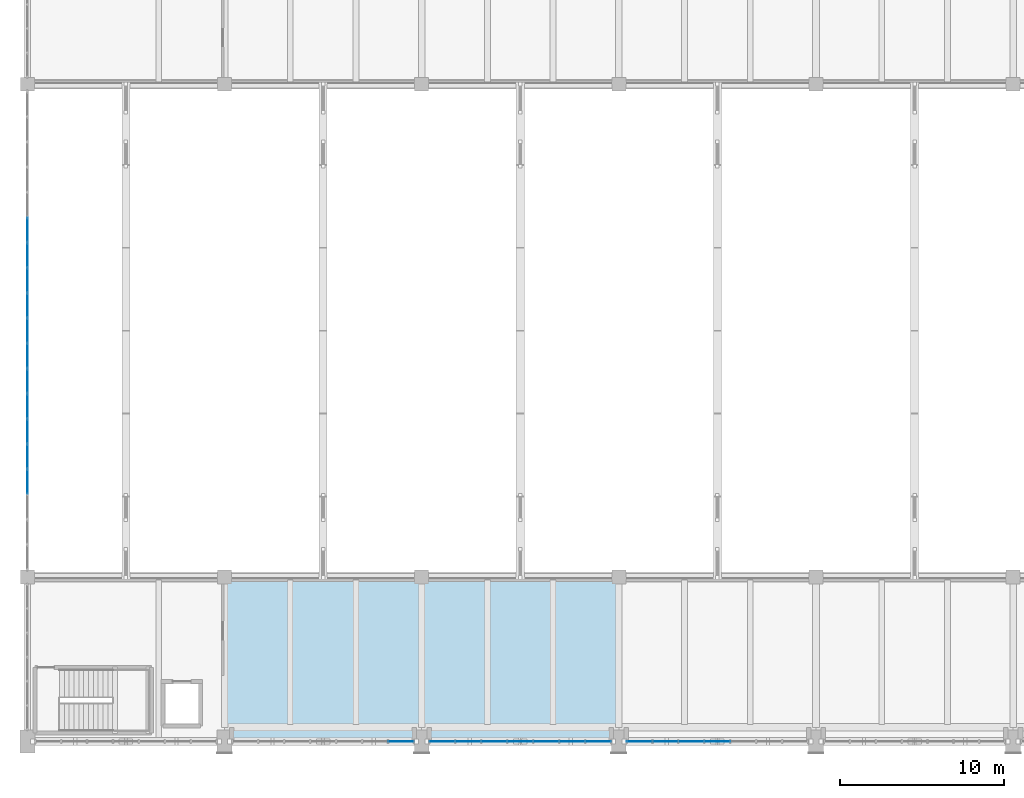
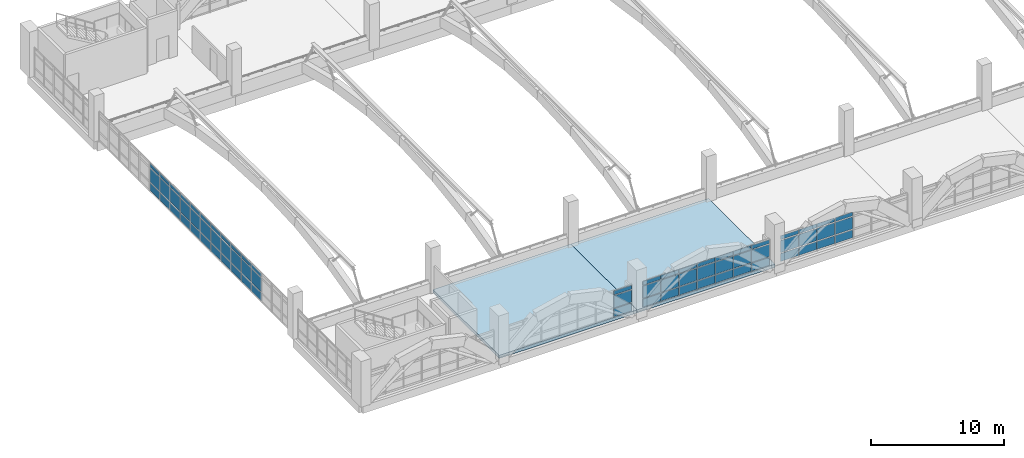
# One storey, part 122 of 161: 69 plates, 2 slabs, 4 elements without a shape of their own.
"""IFC4 building model written with IfcOpenShell, lengths in metres."""

from ifc_helpers import new_model, si_unit, direction, frame, origin, origin_2d, place, context, subcontext, project, spatial, polyline, rectangle, outline, extrude, material, layer, layer_set, type_object, element, aggregate, save


model = new_model("IFC4")

# Units and contexts
model_context = context("Model", 3, precision=1e-05, world=origin(), true_north=direction((0.0, 1.0)))
body_context = subcontext(model_context, "Body", "Model", "MODEL_VIEW")
ifc_project = project(units=[si_unit("LENGTHUNIT", "METRE"), si_unit("AREAUNIT", "SQUARE_METRE"), si_unit("VOLUMEUNIT", "CUBIC_METRE"), si_unit("PLANEANGLEUNIT", "RADIAN"), si_unit("MASSUNIT", "GRAM", prefix="KILO")], contexts=[model_context])

# Site, building, storey
site_placement = place(None, origin())
site = spatial("IfcSite", under=ifc_project, at=site_placement, CompositionType="ELEMENT")
building_placement = place(site_placement, origin())
building = spatial("IfcBuilding", under=site, at=building_placement, Name="Mersad Railyard Sports Hall", CompositionType="ELEMENT")
storey_placement = place(building_placement, frame((0.0, 0.0, 4.800048828125)))
storey = spatial("IfcBuildingStorey", under=building, at=storey_placement, Name="L01", CompositionType="ELEMENT", Elevation=4.800048828125)

# Curtain wall, plates
ifc_material_1 = material(Name="Aluminium 6063-T6", Category="aluminium")
ifc_layer_1 = layer(ifc_material_1, 0.199951171875)
ifc_layer_set_1 = layer_set([ifc_layer_1], Name="Aluminium 6063-T6")
curtain_wall_type_1 = type_object("IfcCurtainWallType", Name="ARC-CW-CW02", PredefinedType="USERDEFINED", material=ifc_layer_set_1)
curtain_wall_1_placement = place(storey_placement, origin())
curtain_wall_1 = element("IfcCurtainWall", 1, at=curtain_wall_1_placement, inside=storey, type_object=curtain_wall_type_1, Name="Curtain wall CW02-0005", ObjectType="CURTAIN WALL", PredefinedType="USERDEFINED")
ifc_material_2 = material(Name="Solar-control glass", Category="glass")
ifc_layer_2 = layer(ifc_material_2, 0.028076171875)
ifc_layer_set_2 = layer_set([ifc_layer_2], Name="Solar-control glass")
plate_type = type_object("IfcPlateType", Name="ARC-CW-PNL01", PredefinedType="CURTAIN_PANEL", material=ifc_layer_set_2)
plate_1_placement = place(storey_placement, frame((29.739990234375, 3.5, 0.0849609375), z_axis=(0.0, 0.0, 1.0), x_axis=(-1.0, 0.0, 0.0)))
plate_1 = element("IfcPlate", 2, at=plate_1_placement, type_object=plate_type, Name="CW02 Glazed panel 1-1", PredefinedType="CURTAIN_PANEL", context=body_context, shape_type="SweptSolid", body=[
    extrude(rectangle(XDim=1.535888671875, YDim=0.028076171875, at=origin_2d()), origin(), (0.0, 0.0, 1.0), 0.719970703125),
])
plate_2_placement = place(storey_placement, frame((29.739990234375, 3.5, 0.89501953125), z_axis=(0.0, 0.0, 1.0), x_axis=(-1.0, 0.0, 0.0)))
plate_2 = element("IfcPlate", 3, at=plate_2_placement, type_object=plate_type, Name="CW02 Glazed panel 1-2", PredefinedType="CURTAIN_PANEL", context=body_context, shape_type="SweptSolid", body=[
    extrude(rectangle(XDim=1.535888671875, YDim=0.028076171875, at=origin_2d()), origin(), (0.0, 0.0, 1.0), 1.110107421875),
])
plate_3_placement = place(storey_placement, frame((29.739990234375, 3.5, 2.094970703125), z_axis=(0.0, 0.0, 1.0), x_axis=(-1.0, 0.0, 0.0)))
plate_3 = element("IfcPlate", 4, at=plate_3_placement, type_object=plate_type, Name="CW02 Glazed panel 1-3", PredefinedType="CURTAIN_PANEL", context=body_context, shape_type="SweptSolid", body=[
    extrude(rectangle(XDim=1.535888671875, YDim=0.028076171875, at=origin_2d()), origin(), (0.0, 0.0, 1.0), 0.35009765625),
])
aggregate(curtain_wall_1, [plate_1, plate_2, plate_3])

curtain_wall_2_placement = place(storey_placement, origin())
curtain_wall_2 = element("IfcCurtainWall", 5, at=curtain_wall_2_placement, inside=storey, type_object=curtain_wall_type_1, Name="Curtain wall CW02-0008", ObjectType="CURTAIN WALL", PredefinedType="USERDEFINED")
plate_4_placement = place(storey_placement, frame((41.739990234375, 3.5, 0.0849609375), z_axis=(0.0, 0.0, 1.0), x_axis=(-1.0, 0.0, 0.0)))
plate_4 = element("IfcPlate", 6, at=plate_4_placement, type_object=plate_type, Name="CW02 Glazed panel 1-1", PredefinedType="CURTAIN_PANEL", context=body_context, shape_type="SweptSolid", body=[
    extrude(rectangle(XDim=1.535888671875, YDim=0.028076171875, at=origin_2d()), origin(), (0.0, 0.0, 1.0), 0.719970703125),
])
plate_5_placement = place(storey_placement, frame((41.739990234375, 3.5, 0.89501953125), z_axis=(0.0, 0.0, 1.0), x_axis=(-1.0, 0.0, 0.0)))
plate_5 = element("IfcPlate", 7, at=plate_5_placement, type_object=plate_type, Name="CW02 Glazed panel 1-2", PredefinedType="CURTAIN_PANEL", context=body_context, shape_type="SweptSolid", body=[
    extrude(rectangle(XDim=1.535888671875, YDim=0.028076171875, at=origin_2d()), origin(), (0.0, 0.0, 1.0), 1.110107421875),
])
plate_6_placement = place(storey_placement, frame((41.739990234375, 3.5, 2.094970703125), z_axis=(0.0, 0.0, 1.0), x_axis=(-1.0, 0.0, 0.0)))
plate_6 = element("IfcPlate", 8, at=plate_6_placement, type_object=plate_type, Name="CW02 Glazed panel 1-3", PredefinedType="CURTAIN_PANEL", context=body_context, shape_type="SweptSolid", body=[
    extrude(rectangle(XDim=1.535888671875, YDim=0.028076171875, at=origin_2d()), origin(), (0.0, 0.0, 1.0), 0.35009765625),
])
plate_7_placement = place(storey_placement, frame((40.159912109375, 3.5, 0.0849609375), z_axis=(0.0, 0.0, 1.0), x_axis=(-1.0, 0.0, 0.0)))
plate_7 = element("IfcPlate", 9, at=plate_7_placement, type_object=plate_type, Name="CW02 Glazed panel 2-1", PredefinedType="CURTAIN_PANEL", context=body_context, shape_type="SweptSolid", body=[
    extrude(rectangle(XDim=1.535888671875, YDim=0.028076171875, at=origin_2d()), origin(), (0.0, 0.0, 1.0), 0.719970703125),
])
plate_8_placement = place(storey_placement, frame((40.159912109375, 3.5, 0.89501953125), z_axis=(0.0, 0.0, 1.0), x_axis=(-1.0, 0.0, 0.0)))
plate_8 = element("IfcPlate", 10, at=plate_8_placement, type_object=plate_type, Name="CW02 Glazed panel 2-2", PredefinedType="CURTAIN_PANEL", context=body_context, shape_type="SweptSolid", body=[
    extrude(rectangle(XDim=1.535888671875, YDim=0.028076171875, at=origin_2d()), origin(), (0.0, 0.0, 1.0), 1.110107421875),
])
plate_9_placement = place(storey_placement, frame((40.159912109375, 3.5, 2.094970703125), z_axis=(0.0, 0.0, 1.0), x_axis=(-1.0, 0.0, 0.0)))
plate_9 = element("IfcPlate", 11, at=plate_9_placement, type_object=plate_type, Name="CW02 Glazed panel 2-3", PredefinedType="CURTAIN_PANEL", context=body_context, shape_type="SweptSolid", body=[
    extrude(rectangle(XDim=1.535888671875, YDim=0.028076171875, at=origin_2d()), origin(), (0.0, 0.0, 1.0), 0.35009765625),
])
plate_10_placement = place(storey_placement, frame((38.580078125, 3.5, 0.0849609375), z_axis=(0.0, 0.0, 1.0), x_axis=(-1.0, 0.0, 0.0)))
plate_10 = element("IfcPlate", 12, at=plate_10_placement, type_object=plate_type, Name="CW02 Glazed panel 3-1", PredefinedType="CURTAIN_PANEL", context=body_context, shape_type="SweptSolid", body=[
    extrude(rectangle(XDim=1.535888671875, YDim=0.028076171875, at=origin_2d()), origin(), (0.0, 0.0, 1.0), 0.719970703125),
])
plate_11_placement = place(storey_placement, frame((38.580078125, 3.5, 0.89501953125), z_axis=(0.0, 0.0, 1.0), x_axis=(-1.0, 0.0, 0.0)))
plate_11 = element("IfcPlate", 13, at=plate_11_placement, type_object=plate_type, Name="CW02 Glazed panel 3-2", PredefinedType="CURTAIN_PANEL", context=body_context, shape_type="SweptSolid", body=[
    extrude(rectangle(XDim=1.535888671875, YDim=0.028076171875, at=origin_2d()), origin(), (0.0, 0.0, 1.0), 1.110107421875),
])
plate_12_placement = place(storey_placement, frame((38.580078125, 3.5, 2.094970703125), z_axis=(0.0, 0.0, 1.0), x_axis=(-1.0, 0.0, 0.0)))
plate_12 = element("IfcPlate", 14, at=plate_12_placement, type_object=plate_type, Name="CW02 Glazed panel 3-3", PredefinedType="CURTAIN_PANEL", context=body_context, shape_type="SweptSolid", body=[
    extrude(rectangle(XDim=1.535888671875, YDim=0.028076171875, at=origin_2d()), origin(), (0.0, 0.0, 1.0), 0.35009765625),
])
plate_13_placement = place(storey_placement, frame((37.0, 3.5, 0.0849609375), z_axis=(0.0, 0.0, 1.0), x_axis=(-1.0, 0.0, 0.0)))
plate_13 = element("IfcPlate", 15, at=plate_13_placement, type_object=plate_type, Name="CW02 Glazed panel 4-1", PredefinedType="CURTAIN_PANEL", context=body_context, shape_type="SweptSolid", body=[
    extrude(rectangle(XDim=1.535888671875, YDim=0.028076171875, at=origin_2d()), origin(), (0.0, 0.0, 1.0), 0.719970703125),
])
plate_14_placement = place(storey_placement, frame((37.0, 3.5, 0.89501953125), z_axis=(0.0, 0.0, 1.0), x_axis=(-1.0, 0.0, 0.0)))
plate_14 = element("IfcPlate", 16, at=plate_14_placement, type_object=plate_type, Name="CW02 Glazed panel 4-2", PredefinedType="CURTAIN_PANEL", context=body_context, shape_type="SweptSolid", body=[
    extrude(rectangle(XDim=1.535888671875, YDim=0.028076171875, at=origin_2d()), origin(), (0.0, 0.0, 1.0), 1.110107421875),
])
plate_15_placement = place(storey_placement, frame((37.0, 3.5, 2.094970703125), z_axis=(0.0, 0.0, 1.0), x_axis=(-1.0, 0.0, 0.0)))
plate_15 = element("IfcPlate", 17, at=plate_15_placement, type_object=plate_type, Name="CW02 Glazed panel 4-3", PredefinedType="CURTAIN_PANEL", context=body_context, shape_type="SweptSolid", body=[
    extrude(rectangle(XDim=1.535888671875, YDim=0.028076171875, at=origin_2d()), origin(), (0.0, 0.0, 1.0), 0.35009765625),
])
plate_16_placement = place(storey_placement, frame((35.419921875, 3.5, 0.0849609375), z_axis=(0.0, 0.0, 1.0), x_axis=(-1.0, 0.0, 0.0)))
plate_16 = element("IfcPlate", 18, at=plate_16_placement, type_object=plate_type, Name="CW02 Glazed panel 5-1", PredefinedType="CURTAIN_PANEL", context=body_context, shape_type="SweptSolid", body=[
    extrude(rectangle(XDim=1.535888671875, YDim=0.028076171875, at=origin_2d()), origin(), (0.0, 0.0, 1.0), 0.719970703125),
])
plate_17_placement = place(storey_placement, frame((35.419921875, 3.5, 0.89501953125), z_axis=(0.0, 0.0, 1.0), x_axis=(-1.0, 0.0, 0.0)))
plate_17 = element("IfcPlate", 19, at=plate_17_placement, type_object=plate_type, Name="CW02 Glazed panel 5-2", PredefinedType="CURTAIN_PANEL", context=body_context, shape_type="SweptSolid", body=[
    extrude(rectangle(XDim=1.535888671875, YDim=0.028076171875, at=origin_2d()), origin(), (0.0, 0.0, 1.0), 1.110107421875),
])
plate_18_placement = place(storey_placement, frame((35.419921875, 3.5, 2.094970703125), z_axis=(0.0, 0.0, 1.0), x_axis=(-1.0, 0.0, 0.0)))
plate_18 = element("IfcPlate", 20, at=plate_18_placement, type_object=plate_type, Name="CW02 Glazed panel 5-3", PredefinedType="CURTAIN_PANEL", context=body_context, shape_type="SweptSolid", body=[
    extrude(rectangle(XDim=1.535888671875, YDim=0.028076171875, at=origin_2d()), origin(), (0.0, 0.0, 1.0), 0.35009765625),
])
plate_19_placement = place(storey_placement, frame((33.840087890625, 3.5, 0.0849609375), z_axis=(0.0, 0.0, 1.0), x_axis=(-1.0, 0.0, 0.0)))
plate_19 = element("IfcPlate", 21, at=plate_19_placement, type_object=plate_type, Name="CW02 Glazed panel 6-1", PredefinedType="CURTAIN_PANEL", context=body_context, shape_type="SweptSolid", body=[
    extrude(rectangle(XDim=1.535888671875, YDim=0.028076171875, at=origin_2d()), origin(), (0.0, 0.0, 1.0), 0.719970703125),
])
plate_20_placement = place(storey_placement, frame((33.840087890625, 3.5, 0.89501953125), z_axis=(0.0, 0.0, 1.0), x_axis=(-1.0, 0.0, 0.0)))
plate_20 = element("IfcPlate", 22, at=plate_20_placement, type_object=plate_type, Name="CW02 Glazed panel 6-2", PredefinedType="CURTAIN_PANEL", context=body_context, shape_type="SweptSolid", body=[
    extrude(rectangle(XDim=1.535888671875, YDim=0.028076171875, at=origin_2d()), origin(), (0.0, 0.0, 1.0), 1.110107421875),
])
plate_21_placement = place(storey_placement, frame((33.840087890625, 3.5, 2.094970703125), z_axis=(0.0, 0.0, 1.0), x_axis=(-1.0, 0.0, 0.0)))
plate_21 = element("IfcPlate", 23, at=plate_21_placement, type_object=plate_type, Name="CW02 Glazed panel 6-3", PredefinedType="CURTAIN_PANEL", context=body_context, shape_type="SweptSolid", body=[
    extrude(rectangle(XDim=1.535888671875, YDim=0.028076171875, at=origin_2d()), origin(), (0.0, 0.0, 1.0), 0.35009765625),
])
plate_22_placement = place(storey_placement, frame((32.260009765625, 3.5, 0.0849609375), z_axis=(0.0, 0.0, 1.0), x_axis=(-1.0, 0.0, 0.0)))
plate_22 = element("IfcPlate", 24, at=plate_22_placement, type_object=plate_type, Name="CW02 Glazed panel 7-1", PredefinedType="CURTAIN_PANEL", context=body_context, shape_type="SweptSolid", body=[
    extrude(rectangle(XDim=1.535888671875, YDim=0.028076171875, at=origin_2d()), origin(), (0.0, 0.0, 1.0), 0.719970703125),
])
plate_23_placement = place(storey_placement, frame((32.260009765625, 3.5, 0.89501953125), z_axis=(0.0, 0.0, 1.0), x_axis=(-1.0, 0.0, 0.0)))
plate_23 = element("IfcPlate", 25, at=plate_23_placement, type_object=plate_type, Name="CW02 Glazed panel 7-2", PredefinedType="CURTAIN_PANEL", context=body_context, shape_type="SweptSolid", body=[
    extrude(rectangle(XDim=1.535888671875, YDim=0.028076171875, at=origin_2d()), origin(), (0.0, 0.0, 1.0), 1.110107421875),
])
plate_24_placement = place(storey_placement, frame((32.260009765625, 3.5, 2.094970703125), z_axis=(0.0, 0.0, 1.0), x_axis=(-1.0, 0.0, 0.0)))
plate_24 = element("IfcPlate", 26, at=plate_24_placement, type_object=plate_type, Name="CW02 Glazed panel 7-3", PredefinedType="CURTAIN_PANEL", context=body_context, shape_type="SweptSolid", body=[
    extrude(rectangle(XDim=1.535888671875, YDim=0.028076171875, at=origin_2d()), origin(), (0.0, 0.0, 1.0), 0.35009765625),
])
aggregate(curtain_wall_2, [plate_4, plate_5, plate_6, plate_7, plate_8, plate_9, plate_10, plate_11, plate_12, plate_13, plate_14, plate_15, plate_16, plate_17, plate_18, plate_19, plate_20, plate_21, plate_22, plate_23, plate_24])

curtain_wall_3_placement = place(storey_placement, origin())
curtain_wall_3 = element("IfcCurtainWall", 27, at=curtain_wall_3_placement, inside=storey, type_object=curtain_wall_type_1, Name="Curtain wall CW02-0011", ObjectType="CURTAIN WALL", PredefinedType="USERDEFINED")
plate_25_placement = place(storey_placement, frame((49.0, 3.5, 0.0849609375), z_axis=(0.0, 0.0, 1.0), x_axis=(-1.0, 0.0, 0.0)))
plate_25 = element("IfcPlate", 28, at=plate_25_placement, type_object=plate_type, Name="CW02 Glazed panel 4-1", PredefinedType="CURTAIN_PANEL", context=body_context, shape_type="SweptSolid", body=[
    extrude(rectangle(XDim=1.535888671875, YDim=0.028076171875, at=origin_2d()), origin(), (0.0, 0.0, 1.0), 0.719970703125),
])
plate_26_placement = place(storey_placement, frame((49.0, 3.5, 0.89501953125), z_axis=(0.0, 0.0, 1.0), x_axis=(-1.0, 0.0, 0.0)))
plate_26 = element("IfcPlate", 29, at=plate_26_placement, type_object=plate_type, Name="CW02 Glazed panel 4-2", PredefinedType="CURTAIN_PANEL", context=body_context, shape_type="SweptSolid", body=[
    extrude(rectangle(XDim=1.535888671875, YDim=0.028076171875, at=origin_2d()), origin(), (0.0, 0.0, 1.0), 1.110107421875),
])
plate_27_placement = place(storey_placement, frame((49.0, 3.5, 2.094970703125), z_axis=(0.0, 0.0, 1.0), x_axis=(-1.0, 0.0, 0.0)))
plate_27 = element("IfcPlate", 30, at=plate_27_placement, type_object=plate_type, Name="CW02 Glazed panel 4-3", PredefinedType="CURTAIN_PANEL", context=body_context, shape_type="SweptSolid", body=[
    extrude(rectangle(XDim=1.535888671875, YDim=0.028076171875, at=origin_2d()), origin(), (0.0, 0.0, 1.0), 0.35009765625),
])
plate_28_placement = place(storey_placement, frame((47.419921875, 3.5, 0.0849609375), z_axis=(0.0, 0.0, 1.0), x_axis=(-1.0, 0.0, 0.0)))
plate_28 = element("IfcPlate", 31, at=plate_28_placement, type_object=plate_type, Name="CW02 Glazed panel 5-1", PredefinedType="CURTAIN_PANEL", context=body_context, shape_type="SweptSolid", body=[
    extrude(rectangle(XDim=1.535888671875, YDim=0.028076171875, at=origin_2d()), origin(), (0.0, 0.0, 1.0), 0.719970703125),
])
plate_29_placement = place(storey_placement, frame((47.419921875, 3.5, 0.89501953125), z_axis=(0.0, 0.0, 1.0), x_axis=(-1.0, 0.0, 0.0)))
plate_29 = element("IfcPlate", 32, at=plate_29_placement, type_object=plate_type, Name="CW02 Glazed panel 5-2", PredefinedType="CURTAIN_PANEL", context=body_context, shape_type="SweptSolid", body=[
    extrude(rectangle(XDim=1.535888671875, YDim=0.028076171875, at=origin_2d()), origin(), (0.0, 0.0, 1.0), 1.110107421875),
])
plate_30_placement = place(storey_placement, frame((47.419921875, 3.5, 2.094970703125), z_axis=(0.0, 0.0, 1.0), x_axis=(-1.0, 0.0, 0.0)))
plate_30 = element("IfcPlate", 33, at=plate_30_placement, type_object=plate_type, Name="CW02 Glazed panel 5-3", PredefinedType="CURTAIN_PANEL", context=body_context, shape_type="SweptSolid", body=[
    extrude(rectangle(XDim=1.535888671875, YDim=0.028076171875, at=origin_2d()), origin(), (0.0, 0.0, 1.0), 0.35009765625),
])
plate_31_placement = place(storey_placement, frame((45.840087890625, 3.5, 0.0849609375), z_axis=(0.0, 0.0, 1.0), x_axis=(-1.0, 0.0, 0.0)))
plate_31 = element("IfcPlate", 34, at=plate_31_placement, type_object=plate_type, Name="CW02 Glazed panel 6-1", PredefinedType="CURTAIN_PANEL", context=body_context, shape_type="SweptSolid", body=[
    extrude(rectangle(XDim=1.535888671875, YDim=0.028076171875, at=origin_2d()), origin(), (0.0, 0.0, 1.0), 0.719970703125),
])
plate_32_placement = place(storey_placement, frame((45.840087890625, 3.5, 0.89501953125), z_axis=(0.0, 0.0, 1.0), x_axis=(-1.0, 0.0, 0.0)))
plate_32 = element("IfcPlate", 35, at=plate_32_placement, type_object=plate_type, Name="CW02 Glazed panel 6-2", PredefinedType="CURTAIN_PANEL", context=body_context, shape_type="SweptSolid", body=[
    extrude(rectangle(XDim=1.535888671875, YDim=0.028076171875, at=origin_2d()), origin(), (0.0, 0.0, 1.0), 1.110107421875),
])
plate_33_placement = place(storey_placement, frame((45.840087890625, 3.5, 2.094970703125), z_axis=(0.0, 0.0, 1.0), x_axis=(-1.0, 0.0, 0.0)))
plate_33 = element("IfcPlate", 36, at=plate_33_placement, type_object=plate_type, Name="CW02 Glazed panel 6-3", PredefinedType="CURTAIN_PANEL", context=body_context, shape_type="SweptSolid", body=[
    extrude(rectangle(XDim=1.535888671875, YDim=0.028076171875, at=origin_2d()), origin(), (0.0, 0.0, 1.0), 0.35009765625),
])
plate_34_placement = place(storey_placement, frame((44.260009765625, 3.5, 0.0849609375), z_axis=(0.0, 0.0, 1.0), x_axis=(-1.0, 0.0, 0.0)))
plate_34 = element("IfcPlate", 37, at=plate_34_placement, type_object=plate_type, Name="CW02 Glazed panel 7-1", PredefinedType="CURTAIN_PANEL", context=body_context, shape_type="SweptSolid", body=[
    extrude(rectangle(XDim=1.535888671875, YDim=0.028076171875, at=origin_2d()), origin(), (0.0, 0.0, 1.0), 0.719970703125),
])
plate_35_placement = place(storey_placement, frame((44.260009765625, 3.5, 0.89501953125), z_axis=(0.0, 0.0, 1.0), x_axis=(-1.0, 0.0, 0.0)))
plate_35 = element("IfcPlate", 38, at=plate_35_placement, type_object=plate_type, Name="CW02 Glazed panel 7-2", PredefinedType="CURTAIN_PANEL", context=body_context, shape_type="SweptSolid", body=[
    extrude(rectangle(XDim=1.535888671875, YDim=0.028076171875, at=origin_2d()), origin(), (0.0, 0.0, 1.0), 1.110107421875),
])
plate_36_placement = place(storey_placement, frame((44.260009765625, 3.5, 2.094970703125), z_axis=(0.0, 0.0, 1.0), x_axis=(-1.0, 0.0, 0.0)))
plate_36 = element("IfcPlate", 39, at=plate_36_placement, type_object=plate_type, Name="CW02 Glazed panel 7-3", PredefinedType="CURTAIN_PANEL", context=body_context, shape_type="SweptSolid", body=[
    extrude(rectangle(XDim=1.535888671875, YDim=0.028076171875, at=origin_2d()), origin(), (0.0, 0.0, 1.0), 0.35009765625),
])
aggregate(curtain_wall_3, [plate_25, plate_26, plate_27, plate_28, plate_29, plate_30, plate_31, plate_32, plate_33, plate_34, plate_35, plate_36])

ifc_layer_3 = layer(ifc_material_1, 0.199951171875)
ifc_layer_set_3 = layer_set([ifc_layer_3], Name="Aluminium 6063-T6")
curtain_wall_type_2 = type_object("IfcCurtainWallType", Name="ARC-CW-CW04", PredefinedType="USERDEFINED", material=ifc_layer_set_3)
curtain_wall_4_placement = place(storey_placement, origin())
curtain_wall_4 = element("IfcCurtainWall", 40, at=curtain_wall_4_placement, inside=storey, type_object=curtain_wall_type_2, Name="Curtain wall CW04-0024", ObjectType="CURTAIN WALL", PredefinedType="USERDEFINED")
plate_37_placement = place(storey_placement, frame((7.0, 19.307373046875, 0.0849609375), z_axis=(0.0, 0.0, 1.0), x_axis=(0.0, 1.0, 0.0)))
plate_37 = element("IfcPlate", 41, at=plate_37_placement, type_object=plate_type, Name="CW04 Glazed panel 4-1", PredefinedType="CURTAIN_PANEL", context=body_context, shape_type="SweptSolid", body=[
    extrude(rectangle(XDim=1.488037109375, YDim=0.028076171875, at=origin_2d()), origin(), (0.0, 0.0, 1.0), 0.719970703125),
])
plate_38_placement = place(storey_placement, frame((7.0, 19.307373046875, 0.89501953125), z_axis=(0.0, 0.0, 1.0), x_axis=(0.0, 1.0, 0.0)))
plate_38 = element("IfcPlate", 42, at=plate_38_placement, type_object=plate_type, Name="CW04 Glazed panel 4-2", PredefinedType="CURTAIN_PANEL", context=body_context, shape_type="SweptSolid", body=[
    extrude(rectangle(XDim=1.488037109375, YDim=0.028076171875, at=origin_2d()), origin(), (0.0, 0.0, 1.0), 1.260009765625),
])
plate_39_placement = place(storey_placement, frame((7.0, 19.307373046875, 2.244873046875), z_axis=(0.0, 0.0, 1.0), x_axis=(0.0, 1.0, 0.0)))
plate_39 = element("IfcPlate", 43, at=plate_39_placement, type_object=plate_type, Name="CW04 Glazed panel 4-3", PredefinedType="CURTAIN_PANEL", context=body_context, shape_type="SweptSolid", body=[
    extrude(rectangle(XDim=1.488037109375, YDim=0.028076171875, at=origin_2d()), origin(), (0.0, 0.0, 1.0), 0.35009765625),
])
plate_40_placement = place(storey_placement, frame((7.0, 20.83935546875, 0.0849609375), z_axis=(0.0, 0.0, 1.0), x_axis=(0.0, 1.0, 0.0)))
plate_40 = element("IfcPlate", 44, at=plate_40_placement, type_object=plate_type, Name="CW04 Glazed panel 5-1", PredefinedType="CURTAIN_PANEL", context=body_context, shape_type="SweptSolid", body=[
    extrude(rectangle(XDim=1.488037109375, YDim=0.028076171875, at=origin_2d()), origin(), (0.0, 0.0, 1.0), 0.719970703125),
])
plate_41_placement = place(storey_placement, frame((7.0, 20.83935546875, 0.89501953125), z_axis=(0.0, 0.0, 1.0), x_axis=(0.0, 1.0, 0.0)))
plate_41 = element("IfcPlate", 45, at=plate_41_placement, type_object=plate_type, Name="CW04 Glazed panel 5-2", PredefinedType="CURTAIN_PANEL", context=body_context, shape_type="SweptSolid", body=[
    extrude(rectangle(XDim=1.488037109375, YDim=0.028076171875, at=origin_2d()), origin(), (0.0, 0.0, 1.0), 1.260009765625),
])
plate_42_placement = place(storey_placement, frame((7.0, 20.83935546875, 2.244873046875), z_axis=(0.0, 0.0, 1.0), x_axis=(0.0, 1.0, 0.0)))
plate_42 = element("IfcPlate", 46, at=plate_42_placement, type_object=plate_type, Name="CW04 Glazed panel 5-3", PredefinedType="CURTAIN_PANEL", context=body_context, shape_type="SweptSolid", body=[
    extrude(rectangle(XDim=1.488037109375, YDim=0.028076171875, at=origin_2d()), origin(), (0.0, 0.0, 1.0), 0.35009765625),
])
plate_43_placement = place(storey_placement, frame((7.0, 22.37158203125, 0.0849609375), z_axis=(0.0, 0.0, 1.0), x_axis=(0.0, 1.0, 0.0)))
plate_43 = element("IfcPlate", 47, at=plate_43_placement, type_object=plate_type, Name="CW04 Glazed panel 6-1", PredefinedType="CURTAIN_PANEL", context=body_context, shape_type="SweptSolid", body=[
    extrude(rectangle(XDim=1.488037109375, YDim=0.028076171875, at=origin_2d()), origin(), (0.0, 0.0, 1.0), 0.719970703125),
])
plate_44_placement = place(storey_placement, frame((7.0, 22.37158203125, 0.89501953125), z_axis=(0.0, 0.0, 1.0), x_axis=(0.0, 1.0, 0.0)))
plate_44 = element("IfcPlate", 48, at=plate_44_placement, type_object=plate_type, Name="CW04 Glazed panel 6-2", PredefinedType="CURTAIN_PANEL", context=body_context, shape_type="SweptSolid", body=[
    extrude(rectangle(XDim=1.488037109375, YDim=0.028076171875, at=origin_2d()), origin(), (0.0, 0.0, 1.0), 1.260009765625),
])
plate_45_placement = place(storey_placement, frame((7.0, 22.37158203125, 2.244873046875), z_axis=(0.0, 0.0, 1.0), x_axis=(0.0, 1.0, 0.0)))
plate_45 = element("IfcPlate", 49, at=plate_45_placement, type_object=plate_type, Name="CW04 Glazed panel 6-3", PredefinedType="CURTAIN_PANEL", context=body_context, shape_type="SweptSolid", body=[
    extrude(rectangle(XDim=1.488037109375, YDim=0.028076171875, at=origin_2d()), origin(), (0.0, 0.0, 1.0), 0.35009765625),
])
plate_46_placement = place(storey_placement, frame((7.0, 23.903564453125, 0.0849609375), z_axis=(0.0, 0.0, 1.0), x_axis=(0.0, 1.0, 0.0)))
plate_46 = element("IfcPlate", 50, at=plate_46_placement, type_object=plate_type, Name="CW04 Glazed panel 7-1", PredefinedType="CURTAIN_PANEL", context=body_context, shape_type="SweptSolid", body=[
    extrude(rectangle(XDim=1.488037109375, YDim=0.028076171875, at=origin_2d()), origin(), (0.0, 0.0, 1.0), 0.719970703125),
])
plate_47_placement = place(storey_placement, frame((7.0, 23.903564453125, 0.89501953125), z_axis=(0.0, 0.0, 1.0), x_axis=(0.0, 1.0, 0.0)))
plate_47 = element("IfcPlate", 51, at=plate_47_placement, type_object=plate_type, Name="CW04 Glazed panel 7-2", PredefinedType="CURTAIN_PANEL", context=body_context, shape_type="SweptSolid", body=[
    extrude(rectangle(XDim=1.488037109375, YDim=0.028076171875, at=origin_2d()), origin(), (0.0, 0.0, 1.0), 1.260009765625),
])
plate_48_placement = place(storey_placement, frame((7.0, 23.903564453125, 2.244873046875), z_axis=(0.0, 0.0, 1.0), x_axis=(0.0, 1.0, 0.0)))
plate_48 = element("IfcPlate", 52, at=plate_48_placement, type_object=plate_type, Name="CW04 Glazed panel 7-3", PredefinedType="CURTAIN_PANEL", context=body_context, shape_type="SweptSolid", body=[
    extrude(rectangle(XDim=1.488037109375, YDim=0.028076171875, at=origin_2d()), origin(), (0.0, 0.0, 1.0), 0.35009765625),
])
plate_49_placement = place(storey_placement, frame((7.0, 25.435791015625, 0.0849609375), z_axis=(0.0, 0.0, 1.0), x_axis=(0.0, 1.0, 0.0)))
plate_49 = element("IfcPlate", 53, at=plate_49_placement, type_object=plate_type, Name="CW04 Glazed panel 8-1", PredefinedType="CURTAIN_PANEL", context=body_context, shape_type="SweptSolid", body=[
    extrude(rectangle(XDim=1.488037109375, YDim=0.028076171875, at=origin_2d()), origin(), (0.0, 0.0, 1.0), 0.719970703125),
])
plate_50_placement = place(storey_placement, frame((7.0, 25.435791015625, 0.89501953125), z_axis=(0.0, 0.0, 1.0), x_axis=(0.0, 1.0, 0.0)))
plate_50 = element("IfcPlate", 54, at=plate_50_placement, type_object=plate_type, Name="CW04 Glazed panel 8-2", PredefinedType="CURTAIN_PANEL", context=body_context, shape_type="SweptSolid", body=[
    extrude(rectangle(XDim=1.488037109375, YDim=0.028076171875, at=origin_2d()), origin(), (0.0, 0.0, 1.0), 1.260009765625),
])
plate_51_placement = place(storey_placement, frame((7.0, 25.435791015625, 2.244873046875), z_axis=(0.0, 0.0, 1.0), x_axis=(0.0, 1.0, 0.0)))
plate_51 = element("IfcPlate", 55, at=plate_51_placement, type_object=plate_type, Name="CW04 Glazed panel 8-3", PredefinedType="CURTAIN_PANEL", context=body_context, shape_type="SweptSolid", body=[
    extrude(rectangle(XDim=1.488037109375, YDim=0.028076171875, at=origin_2d()), origin(), (0.0, 0.0, 1.0), 0.35009765625),
])
plate_52_placement = place(storey_placement, frame((7.0, 26.9677734375, 0.0849609375), z_axis=(0.0, 0.0, 1.0), x_axis=(0.0, 1.0, 0.0)))
plate_52 = element("IfcPlate", 56, at=plate_52_placement, type_object=plate_type, Name="CW04 Glazed panel 9-1", PredefinedType="CURTAIN_PANEL", context=body_context, shape_type="SweptSolid", body=[
    extrude(rectangle(XDim=1.488037109375, YDim=0.028076171875, at=origin_2d()), origin(), (0.0, 0.0, 1.0), 0.719970703125),
])
plate_53_placement = place(storey_placement, frame((7.0, 26.9677734375, 0.89501953125), z_axis=(0.0, 0.0, 1.0), x_axis=(0.0, 1.0, 0.0)))
plate_53 = element("IfcPlate", 57, at=plate_53_placement, type_object=plate_type, Name="CW04 Glazed panel 9-2", PredefinedType="CURTAIN_PANEL", context=body_context, shape_type="SweptSolid", body=[
    extrude(rectangle(XDim=1.488037109375, YDim=0.028076171875, at=origin_2d()), origin(), (0.0, 0.0, 1.0), 1.260009765625),
])
plate_54_placement = place(storey_placement, frame((7.0, 26.9677734375, 2.244873046875), z_axis=(0.0, 0.0, 1.0), x_axis=(0.0, 1.0, 0.0)))
plate_54 = element("IfcPlate", 58, at=plate_54_placement, type_object=plate_type, Name="CW04 Glazed panel 9-3", PredefinedType="CURTAIN_PANEL", context=body_context, shape_type="SweptSolid", body=[
    extrude(rectangle(XDim=1.488037109375, YDim=0.028076171875, at=origin_2d()), origin(), (0.0, 0.0, 1.0), 0.35009765625),
])
plate_55_placement = place(storey_placement, frame((7.0, 28.5, 0.0849609375), z_axis=(0.0, 0.0, 1.0), x_axis=(0.0, 1.0, 0.0)))
plate_55 = element("IfcPlate", 59, at=plate_55_placement, type_object=plate_type, Name="CW04 Glazed panel 10-1", PredefinedType="CURTAIN_PANEL", context=body_context, shape_type="SweptSolid", body=[
    extrude(rectangle(XDim=1.488037109375, YDim=0.028076171875, at=origin_2d()), origin(), (0.0, 0.0, 1.0), 0.719970703125),
])
plate_56_placement = place(storey_placement, frame((7.0, 28.5, 0.89501953125), z_axis=(0.0, 0.0, 1.0), x_axis=(0.0, 1.0, 0.0)))
plate_56 = element("IfcPlate", 60, at=plate_56_placement, type_object=plate_type, Name="CW04 Glazed panel 10-2", PredefinedType="CURTAIN_PANEL", context=body_context, shape_type="SweptSolid", body=[
    extrude(rectangle(XDim=1.488037109375, YDim=0.028076171875, at=origin_2d()), origin(), (0.0, 0.0, 1.0), 1.260009765625),
])
plate_57_placement = place(storey_placement, frame((7.0, 28.5, 2.244873046875), z_axis=(0.0, 0.0, 1.0), x_axis=(0.0, 1.0, 0.0)))
plate_57 = element("IfcPlate", 61, at=plate_57_placement, type_object=plate_type, Name="CW04 Glazed panel 10-3", PredefinedType="CURTAIN_PANEL", context=body_context, shape_type="SweptSolid", body=[
    extrude(rectangle(XDim=1.488037109375, YDim=0.028076171875, at=origin_2d()), origin(), (0.0, 0.0, 1.0), 0.35009765625),
])
plate_58_placement = place(storey_placement, frame((7.0, 30.0322265625, 0.0849609375), z_axis=(0.0, 0.0, 1.0), x_axis=(0.0, 1.0, 0.0)))
plate_58 = element("IfcPlate", 62, at=plate_58_placement, type_object=plate_type, Name="CW04 Glazed panel 11-1", PredefinedType="CURTAIN_PANEL", context=body_context, shape_type="SweptSolid", body=[
    extrude(rectangle(XDim=1.488037109375, YDim=0.028076171875, at=origin_2d()), origin(), (0.0, 0.0, 1.0), 0.719970703125),
])
plate_59_placement = place(storey_placement, frame((7.0, 30.0322265625, 0.89501953125), z_axis=(0.0, 0.0, 1.0), x_axis=(0.0, 1.0, 0.0)))
plate_59 = element("IfcPlate", 63, at=plate_59_placement, type_object=plate_type, Name="CW04 Glazed panel 11-2", PredefinedType="CURTAIN_PANEL", context=body_context, shape_type="SweptSolid", body=[
    extrude(rectangle(XDim=1.488037109375, YDim=0.028076171875, at=origin_2d()), origin(), (0.0, 0.0, 1.0), 1.260009765625),
])
plate_60_placement = place(storey_placement, frame((7.0, 30.0322265625, 2.244873046875), z_axis=(0.0, 0.0, 1.0), x_axis=(0.0, 1.0, 0.0)))
plate_60 = element("IfcPlate", 64, at=plate_60_placement, type_object=plate_type, Name="CW04 Glazed panel 11-3", PredefinedType="CURTAIN_PANEL", context=body_context, shape_type="SweptSolid", body=[
    extrude(rectangle(XDim=1.488037109375, YDim=0.028076171875, at=origin_2d()), origin(), (0.0, 0.0, 1.0), 0.35009765625),
])
plate_61_placement = place(storey_placement, frame((7.0, 31.564208984375, 0.0849609375), z_axis=(0.0, 0.0, 1.0), x_axis=(0.0, 1.0, 0.0)))
plate_61 = element("IfcPlate", 65, at=plate_61_placement, type_object=plate_type, Name="CW04 Glazed panel 12-1", PredefinedType="CURTAIN_PANEL", context=body_context, shape_type="SweptSolid", body=[
    extrude(rectangle(XDim=1.488037109375, YDim=0.028076171875, at=origin_2d()), origin(), (0.0, 0.0, 1.0), 0.719970703125),
])
plate_62_placement = place(storey_placement, frame((7.0, 31.564208984375, 0.89501953125), z_axis=(0.0, 0.0, 1.0), x_axis=(0.0, 1.0, 0.0)))
plate_62 = element("IfcPlate", 66, at=plate_62_placement, type_object=plate_type, Name="CW04 Glazed panel 12-2", PredefinedType="CURTAIN_PANEL", context=body_context, shape_type="SweptSolid", body=[
    extrude(rectangle(XDim=1.488037109375, YDim=0.028076171875, at=origin_2d()), origin(), (0.0, 0.0, 1.0), 1.260009765625),
])
plate_63_placement = place(storey_placement, frame((7.0, 31.564208984375, 2.244873046875), z_axis=(0.0, 0.0, 1.0), x_axis=(0.0, 1.0, 0.0)))
plate_63 = element("IfcPlate", 67, at=plate_63_placement, type_object=plate_type, Name="CW04 Glazed panel 12-3", PredefinedType="CURTAIN_PANEL", context=body_context, shape_type="SweptSolid", body=[
    extrude(rectangle(XDim=1.488037109375, YDim=0.028076171875, at=origin_2d()), origin(), (0.0, 0.0, 1.0), 0.35009765625),
])
plate_64_placement = place(storey_placement, frame((7.0, 33.096435546875, 0.0849609375), z_axis=(0.0, 0.0, 1.0), x_axis=(0.0, 1.0, 0.0)))
plate_64 = element("IfcPlate", 68, at=plate_64_placement, type_object=plate_type, Name="CW04 Glazed panel 13-1", PredefinedType="CURTAIN_PANEL", context=body_context, shape_type="SweptSolid", body=[
    extrude(rectangle(XDim=1.488037109375, YDim=0.028076171875, at=origin_2d()), origin(), (0.0, 0.0, 1.0), 0.719970703125),
])
plate_65_placement = place(storey_placement, frame((7.0, 33.096435546875, 0.89501953125), z_axis=(0.0, 0.0, 1.0), x_axis=(0.0, 1.0, 0.0)))
plate_65 = element("IfcPlate", 69, at=plate_65_placement, type_object=plate_type, Name="CW04 Glazed panel 13-2", PredefinedType="CURTAIN_PANEL", context=body_context, shape_type="SweptSolid", body=[
    extrude(rectangle(XDim=1.488037109375, YDim=0.028076171875, at=origin_2d()), origin(), (0.0, 0.0, 1.0), 1.260009765625),
])
plate_66_placement = place(storey_placement, frame((7.0, 33.096435546875, 2.244873046875), z_axis=(0.0, 0.0, 1.0), x_axis=(0.0, 1.0, 0.0)))
plate_66 = element("IfcPlate", 70, at=plate_66_placement, type_object=plate_type, Name="CW04 Glazed panel 13-3", PredefinedType="CURTAIN_PANEL", context=body_context, shape_type="SweptSolid", body=[
    extrude(rectangle(XDim=1.488037109375, YDim=0.028076171875, at=origin_2d()), origin(), (0.0, 0.0, 1.0), 0.35009765625),
])
plate_67_placement = place(storey_placement, frame((7.0, 34.62841796875, 0.0849609375), z_axis=(0.0, 0.0, 1.0), x_axis=(0.0, 1.0, 0.0)))
plate_67 = element("IfcPlate", 71, at=plate_67_placement, type_object=plate_type, Name="CW04 Glazed panel 14-1", PredefinedType="CURTAIN_PANEL", context=body_context, shape_type="SweptSolid", body=[
    extrude(rectangle(XDim=1.488037109375, YDim=0.028076171875, at=origin_2d()), origin(), (0.0, 0.0, 1.0), 0.719970703125),
])
plate_68_placement = place(storey_placement, frame((7.0, 34.62841796875, 0.89501953125), z_axis=(0.0, 0.0, 1.0), x_axis=(0.0, 1.0, 0.0)))
plate_68 = element("IfcPlate", 72, at=plate_68_placement, type_object=plate_type, Name="CW04 Glazed panel 14-2", PredefinedType="CURTAIN_PANEL", context=body_context, shape_type="SweptSolid", body=[
    extrude(rectangle(XDim=1.488037109375, YDim=0.028076171875, at=origin_2d()), origin(), (0.0, 0.0, 1.0), 1.260009765625),
])
plate_69_placement = place(storey_placement, frame((7.0, 34.62841796875, 2.244873046875), z_axis=(0.0, 0.0, 1.0), x_axis=(0.0, 1.0, 0.0)))
plate_69 = element("IfcPlate", 73, at=plate_69_placement, type_object=plate_type, Name="CW04 Glazed panel 14-3", PredefinedType="CURTAIN_PANEL", context=body_context, shape_type="SweptSolid", body=[
    extrude(rectangle(XDim=1.488037109375, YDim=0.028076171875, at=origin_2d()), origin(), (0.0, 0.0, 1.0), 0.35009765625),
])
aggregate(curtain_wall_4, [plate_37, plate_38, plate_39, plate_40, plate_41, plate_42, plate_43, plate_44, plate_45, plate_46, plate_47, plate_48, plate_49, plate_50, plate_51, plate_52, plate_53, plate_54, plate_55, plate_56, plate_57, plate_58, plate_59, plate_60, plate_61, plate_62, plate_63, plate_64, plate_65, plate_66, plate_67, plate_68, plate_69])

# Slabs
ifc_material_3 = material(Name="Concrete C40/50", Category="concrete")
ifc_layer_4 = layer(ifc_material_3, 0.280029296875)
ifc_layer_set_4 = layer_set([ifc_layer_4], Name="Concrete C40/50")
slab_type = type_object("IfcSlabType", Name="STR-SL-FL02", PredefinedType="FLOOR", material=ifc_layer_set_4)
slab_1_placement = place(storey_placement, frame((0.0, 0.0, -0.280029296875)))
element("IfcSlab", 74, at=slab_1_placement, inside=storey, type_object=slab_type, Name="Slab SL02-0039", PredefinedType="FLOOR", context=body_context, shape_type="SweptSolid", body=[
    extrude(outline(polyline([(19.0, 3.5), (31.0, 3.5), (31.0, 13.5), (19.0, 13.5), (19.0, 3.5)])), origin(), (0.0, 0.0, 1.0), 0.280029296875),
])
slab_2_placement = place(storey_placement, frame((0.0, 0.0, -0.280029296875)))
element("IfcSlab", 75, at=slab_2_placement, inside=storey, type_object=slab_type, Name="Slab SL02-0041", PredefinedType="FLOOR", context=body_context, shape_type="SweptSolid", body=[
    extrude(outline(polyline([(31.0, 3.5), (43.0, 3.5), (43.0, 13.5), (31.0, 13.5), (31.0, 3.5)])), origin(), (0.0, 0.0, 1.0), 0.280029296875),
])

save(model, "model.ifc")
